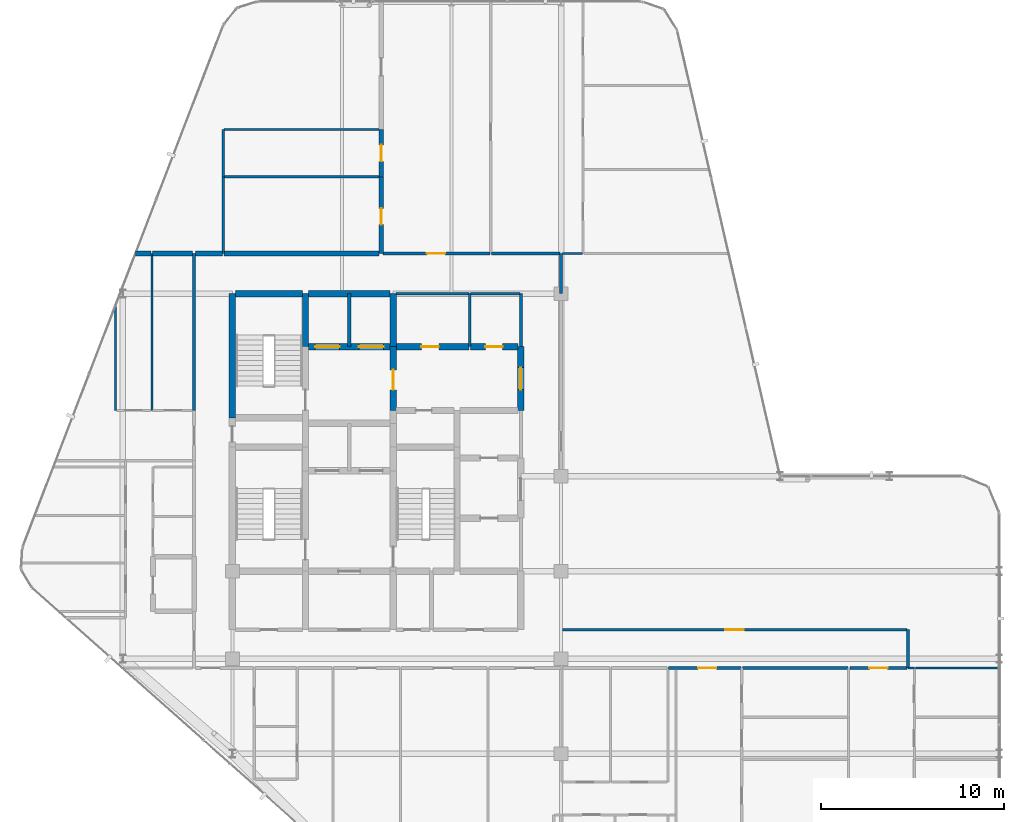
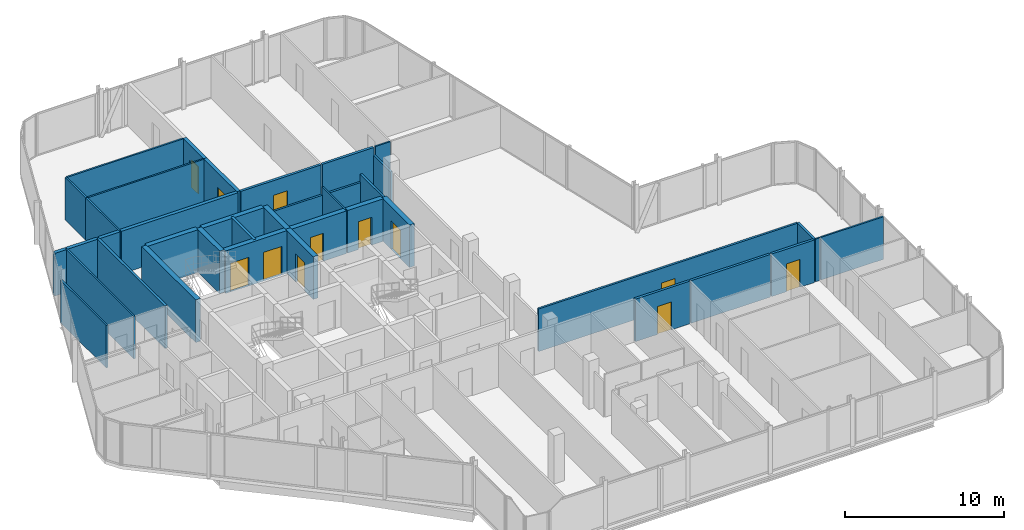
# One storey, part 26 of 28: 39 walls, 12 doors, 12 openings.
"""IFC4 building model written with IfcOpenShell, lengths in metres."""

from ifc_helpers import new_model, si_unit, direction, frame, frame_2d, origin, place, context, subcontext, project, spatial, rectangle, extrude, material, layer, layer_set, type_object, element, fill, save


model = new_model("IFC4")

# Units and contexts
model_context = context("Model", 3, precision=1e-05, world=origin(), true_north=direction((0.0, 1.0)))
body_context = subcontext(model_context, "Body", "Model", "MODEL_VIEW")
ifc_project = project(units=[si_unit("LENGTHUNIT", "METRE"), si_unit("AREAUNIT", "SQUARE_METRE"), si_unit("VOLUMEUNIT", "CUBIC_METRE"), si_unit("PLANEANGLEUNIT", "RADIAN"), si_unit("MASSUNIT", "GRAM", prefix="KILO")], contexts=[model_context])

# Site, building, storey
site_placement = place(None, origin())
site = spatial("IfcSite", under=ifc_project, at=site_placement, CompositionType="ELEMENT")
building_placement = place(site_placement, origin())
building = spatial("IfcBuilding", under=site, at=building_placement, Name="Keshet Zoharim Tower", CompositionType="ELEMENT")
storey_placement = place(building_placement, frame((0.0, 0.0, 233.89990234375)))
storey = spatial("IfcBuildingStorey", under=building, at=storey_placement, Name="L58", CompositionType="ELEMENT", Elevation=233.89990234375)

# Walls
ifc_material_1 = material(Name="Gypsum Plasterboard", Category="gypsum")
ifc_layer_1 = layer(ifc_material_1, 0.14990234375)
ifc_layer_set_1 = layer_set([ifc_layer_1], Name="Gypsum Plasterboard")
wall_type_1 = type_object("IfcWallType", Name="WL-CLIN-150", PredefinedType="STANDARD", material=ifc_layer_set_1)
wall_1_placement = place(storey_placement, frame((30.800048828125, 35.0, 0.0), z_axis=(0.0, 0.0, 1.0), x_axis=(0.0, 1.0, 0.0)))
element("IfcWall", 1, at=wall_1_placement, inside=storey, type_object=wall_type_1, Name="L58 Interior Wall 058", PredefinedType="STANDARD", context=body_context, shape_type="SweptSolid", body=[
    extrude(rectangle(XDim=2.89990234375, YDim=0.14990234375, at=frame_2d((1.449951171875, 0.0))), origin(), (0.0, 0.0, 1.0), 3.280029296875),
])
wall_2_placement = place(storey_placement, frame((52.0, 17.409912109375, 0.0), z_axis=(0.0, 0.0, 1.0), x_axis=(0.0, 1.0, 0.0)))
element("IfcWall", 2, at=wall_2_placement, inside=storey, type_object=wall_type_1, Name="L58 Interior Wall 075", PredefinedType="STANDARD", context=body_context, shape_type="SweptSolid", body=[
    extrude(rectangle(XDim=2.090087890625, YDim=0.14990234375, at=frame_2d((1.044921875, 0.0))), origin(), (0.0, 0.0, 1.0), 3.280029296875),
])

# Wall, opening, door
wall_3_placement = place(storey_placement, frame((33.070068359375, 19.5, 0.0), z_axis=(0.0, 0.0, 1.0), x_axis=(1.0, 0.0, 0.0)))
wall_3 = element("IfcWall", 3, at=wall_3_placement, inside=storey, type_object=wall_type_1, Name="L58 Interior Wall 111", PredefinedType="STANDARD", context=body_context, shape_type="SweptSolid", body=[
    extrude(rectangle(XDim=18.869873046875, YDim=0.14990234375, at=frame_2d((9.43505859375, 0.0))), origin(), (0.0, 0.0, 1.0), 3.280029296875),
])
opening_1_placement = place(wall_3_placement, frame((8.93505859375, 0.0, 0.0)))
opening_1 = element("IfcOpeningElement", 4, at=opening_1_placement, cuts=wall_3, Name="Opening D-F310", PredefinedType="OPENING", context=body_context, shape_type="SweptSolid", body=[
    extrude(rectangle(XDim=1.0, YDim=2.14990234375, at=frame_2d((0.5, 1.074951171875))), frame((0.0, 0.0849609375, 0.0), z_axis=(0.0, -1.0, 0.0), x_axis=(1.0, 0.0, 0.0)), (0.0, 0.0, 1.0), 0.169921875),
])
ifc_material_2 = material(Name="Hardwood Timber", Category="wood")
door_type_1 = type_object("IfcDoorType", Name="DR-FD30-100", OperationType="NOTDEFINED", PredefinedType="DOOR", material=ifc_material_2)
door_1_placement = place(opening_1_placement, origin())
door_1 = element("IfcDoor", 5, at=door_1_placement, inside=storey, type_object=door_type_1, Name="L58 North East Residents Services Suite Door 2", OperationType="SINGLE_SWING_RIGHT", OverallHeight=2.14990234375, OverallWidth=1.0, PredefinedType="DOOR", context=body_context, shape_type="SweptSolid", body=[
    extrude(rectangle(XDim=1.0, YDim=2.14990234375, at=frame_2d((0.5, 1.074951171875))), frame((0.0, 0.02490234375, 0.0), z_axis=(0.0, -1.0, 0.0), x_axis=(1.0, 0.0, 0.0)), (0.0, 0.0, 1.0), 0.050048828125),
])
fill(opening_1, door_1)

# Walls
wall_4_placement = place(storey_placement, frame((23.9599609375, 37.89990234375, 0.0), z_axis=(0.0, 0.0, 1.0), x_axis=(1.0, 0.0, 0.0)))
element("IfcWall", 6, at=wall_4_placement, inside=storey, type_object=wall_type_1, Name="L58 Interior Wall 144", PredefinedType="STANDARD", context=body_context, shape_type="SweptSolid", body=[
    extrude(rectangle(XDim=3.9951171875, YDim=0.14990234375, at=frame_2d((1.99755859375, 0.0))), origin(), (0.0, 0.0, 1.0), 2.68017578125),
])
wall_5_placement = place(storey_placement, frame((28.044921875, 37.89990234375, 0.0), z_axis=(0.0, 0.0, 1.0), x_axis=(1.0, 0.0, 0.0)))
element("IfcWall", 7, at=wall_5_placement, inside=storey, type_object=wall_type_1, Name="L58 Interior Wall 145", PredefinedType="STANDARD", context=body_context, shape_type="SweptSolid", body=[
    extrude(rectangle(XDim=2.695068359375, YDim=0.14990234375, at=frame_2d((1.34765625, 0.0))), origin(), (0.0, 0.0, 1.0), 2.68017578125),
])
wall_6_placement = place(storey_placement, frame((33.0, 37.89990234375, 0.0), z_axis=(0.0, 0.0, 1.0), x_axis=(0.0, 1.0, 0.0)))
element("IfcWall", 8, at=wall_6_placement, inside=storey, type_object=wall_type_1, Name="L58 Interior Wall 060 Part 2", PredefinedType="STANDARD", context=body_context, shape_type="SweptSolid", body=[
    extrude(rectangle(XDim=2.190185546875, YDim=0.14990234375, at=frame_2d((1.09521484375, 0.0))), origin(), (0.0, 0.0, 1.0), 2.68017578125),
])
ifc_material_3 = material(Name="Concrete C60/75", Category="concrete")
ifc_layer_2 = layer(ifc_material_3, 0.35009765625)
ifc_layer_set_2 = layer_set([ifc_layer_2], Name="Concrete C60/75")
wall_type_2 = type_object("IfcWallType", Name="WL-CORE-350", PredefinedType="SHEAR", material=ifc_layer_set_2)
wall_7_placement = place(storey_placement, frame((15.0, 31.10009765625, 0.0), z_axis=(0.0, 0.0, 1.0), x_axis=(0.0, 1.0, 0.0)))
element("IfcWall", 9, at=wall_7_placement, inside=storey, type_object=wall_type_2, Name="L58 Core Shear Wall 021", PredefinedType="SHEAR", context=body_context, shape_type="SweptSolid", body=[
    extrude(rectangle(XDim=6.7998046875, YDim=0.35009765625, at=frame_2d((3.39990234375, 0.0))), origin(), (0.0, 0.0, 1.0), 3.280029296875),
])
wall_8_placement = place(storey_placement, frame((19.0, 35.0, 0.0), z_axis=(0.0, 0.0, 1.0), x_axis=(0.0, 1.0, 0.0)))
element("IfcWall", 10, at=wall_8_placement, inside=storey, type_object=wall_type_2, Name="L58 Core Shear Wall 030", PredefinedType="SHEAR", context=body_context, shape_type="SweptSolid", body=[
    extrude(rectangle(XDim=2.89990234375, YDim=0.35009765625, at=frame_2d((1.449951171875, 0.0))), origin(), (0.0, 0.0, 1.0), 3.280029296875),
])

# Wall, opening, door
wall_9_placement = place(storey_placement, frame((23.800048828125, 31.5, 0.0), z_axis=(0.0, 0.0, 1.0), x_axis=(0.0, 1.0, 0.0)))
wall_9 = element("IfcWall", 11, at=wall_9_placement, inside=storey, type_object=wall_type_2, Name="L58 Core Shear Wall 042", PredefinedType="SHEAR", context=body_context, shape_type="SweptSolid", body=[
    extrude(rectangle(XDim=3.5, YDim=0.35009765625, at=frame_2d((1.75, 0.0))), origin(), (0.0, 0.0, 1.0), 3.280029296875),
])
opening_2_placement = place(wall_9_placement, frame((1.126953125, 0.0, 0.0)))
opening_2 = element("IfcOpeningElement", 12, at=opening_2_placement, cuts=wall_9, Name="Opening D-F611", PredefinedType="OPENING", context=body_context, shape_type="SweptSolid", body=[
    extrude(rectangle(XDim=1.10009765625, YDim=2.14990234375, at=frame_2d((0.550048828125, 1.074951171875))), frame((0.0, 0.18505859375, 0.0), z_axis=(0.0, -1.0, 0.0), x_axis=(1.0, 0.0, 0.0)), (0.0, 0.0, 1.0), 0.3701171875),
])
door_type_2 = type_object("IfcDoorType", Name="DR-FD60-110", OperationType="NOTDEFINED", PredefinedType="DOOR", material=ifc_material_2)
door_2_placement = place(opening_2_placement, origin())
door_2 = element("IfcDoor", 13, at=door_2_placement, inside=storey, type_object=door_type_2, Name="L58 Firefighting Lobby Fire Door", OperationType="SINGLE_SWING_LEFT", OverallHeight=2.14990234375, OverallWidth=1.10009765625, PredefinedType="DOOR", context=body_context, shape_type="SweptSolid", body=[
    extrude(rectangle(XDim=1.10009765625, YDim=2.14990234375, at=frame_2d((0.550048828125, 1.074951171875))), frame((0.0, 0.02490234375, 0.0), z_axis=(0.0, -1.0, 0.0), x_axis=(1.0, 0.0, 0.0)), (0.0, 0.0, 1.0), 0.050048828125),
])
fill(opening_2, door_2)

# Wall
wall_10_placement = place(storey_placement, frame((23.800048828125, 35.0, 0.0), z_axis=(0.0, 0.0, 1.0), x_axis=(0.0, 1.0, 0.0)))
element("IfcWall", 14, at=wall_10_placement, inside=storey, type_object=wall_type_2, Name="L58 Core Shear Wall 043", PredefinedType="SHEAR", context=body_context, shape_type="SweptSolid", body=[
    extrude(rectangle(XDim=2.89990234375, YDim=0.35009765625, at=frame_2d((1.449951171875, 0.0))), origin(), (0.0, 0.0, 1.0), 3.280029296875),
])

# Wall, opening, door
wall_11_placement = place(storey_placement, frame((30.800048828125, 31.5, 0.0), z_axis=(0.0, 0.0, 1.0), x_axis=(0.0, 1.0, 0.0)))
wall_11 = element("IfcWall", 15, at=wall_11_placement, inside=storey, type_object=wall_type_2, Name="L58 Core Shear Wall 057", PredefinedType="SHEAR", context=body_context, shape_type="SweptSolid", body=[
    extrude(rectangle(XDim=3.5, YDim=0.35009765625, at=frame_2d((1.75, 0.0))), origin(), (0.0, 0.0, 1.0), 3.280029296875),
])
opening_3_placement = place(wall_11_placement, frame((1.14990234375, 0.0, 0.0)))
opening_3 = element("IfcOpeningElement", 16, at=opening_3_placement, cuts=wall_11, Name="Opening D-F612", PredefinedType="OPENING", context=body_context, shape_type="SweptSolid", body=[
    extrude(rectangle(XDim=1.199951171875, YDim=2.199951171875, at=frame_2d((0.60009765625, 1.10009765625))), frame((0.0, 0.18505859375, 0.0), z_axis=(0.0, -1.0, 0.0), x_axis=(1.0, 0.0, 0.0)), (0.0, 0.0, 1.0), 0.3701171875),
])
door_type_3 = type_object("IfcDoorType", Name="DR-FD60-120", OperationType="NOTDEFINED", PredefinedType="DOOR", material=ifc_material_2)
door_3_placement = place(opening_3_placement, origin())
door_3 = element("IfcDoor", 17, at=door_3_placement, inside=storey, type_object=door_type_3, Name="L58 North Lift Lobby East Fire Door", OperationType="SINGLE_SWING_RIGHT", OverallHeight=2.199951171875, OverallWidth=1.199951171875, PredefinedType="DOOR", context=body_context, shape_type="SweptSolid", body=[
    extrude(rectangle(XDim=1.199951171875, YDim=2.199951171875, at=frame_2d((0.60009765625, 1.10009765625))), frame((0.0, 0.02490234375, 0.0), z_axis=(0.0, -1.0, 0.0), x_axis=(1.0, 0.0, 0.0)), (0.0, 0.0, 1.0), 0.050048828125),
])
fill(opening_3, door_3)

# Wall, openings, doors
wall_12_placement = place(storey_placement, frame((19.159912109375, 35.0, 0.0), z_axis=(0.0, 0.0, 1.0), x_axis=(1.0, 0.0, 0.0)))
wall_12 = element("IfcWall", 18, at=wall_12_placement, inside=storey, type_object=wall_type_2, Name="L58 Core Shear Wall 139", PredefinedType="SHEAR", context=body_context, shape_type="SweptSolid", body=[
    extrude(rectangle(XDim=4.47998046875, YDim=0.35009765625, at=frame_2d((2.239990234375, 0.0))), origin(), (0.0, 0.0, 1.0), 3.280029296875),
])
opening_4_placement = place(wall_12_placement, frame((0.364990234375, 0.0, 0.0)))
opening_4 = element("IfcOpeningElement", 19, at=opening_4_placement, cuts=wall_12, Name="Opening LD-02", PredefinedType="OPENING", context=body_context, shape_type="SweptSolid", body=[
    extrude(rectangle(XDim=1.35009765625, YDim=2.199951171875, at=frame_2d((0.675048828125, 1.10009765625))), frame((0.0, 0.18505859375, 0.0), z_axis=(0.0, -1.0, 0.0), x_axis=(1.0, 0.0, 0.0)), (0.0, 0.0, 1.0), 0.3701171875),
])
opening_5_placement = place(wall_12_placement, frame((2.764892578125, 0.0, 0.0)))
opening_5 = element("IfcOpeningElement", 20, at=opening_5_placement, cuts=wall_12, Name="Opening LD-02", PredefinedType="OPENING", context=body_context, shape_type="SweptSolid", body=[
    extrude(rectangle(XDim=1.35009765625, YDim=2.199951171875, at=frame_2d((0.675048828125, 1.10009765625))), frame((0.0, 0.18505859375, 0.0), z_axis=(0.0, -1.0, 0.0), x_axis=(1.0, 0.0, 0.0)), (0.0, 0.0, 1.0), 0.3701171875),
])
ifc_material_4 = material(Name="Steel S355", Category="steel")
door_type_4 = type_object("IfcDoorType", Name="DR-LD02-135", OperationType="DOUBLE_DOOR_SLIDING", PredefinedType="DOOR", material=ifc_material_4)
door_4_placement = place(opening_4_placement, origin())
door_4 = element("IfcDoor", 21, at=door_4_placement, inside=storey, type_object=door_type_4, Name="L58 Firefighting Lift Landing Door FF-01", OperationType="DOUBLE_DOOR_SLIDING", OverallHeight=2.199951171875, OverallWidth=1.35009765625, PredefinedType="DOOR", context=body_context, shape_type="SweptSolid", body=[
    extrude(rectangle(XDim=1.35009765625, YDim=2.199951171875, at=frame_2d((0.675048828125, 1.10009765625))), frame((0.0, 0.02490234375, 0.0), z_axis=(0.0, -1.0, 0.0), x_axis=(1.0, 0.0, 0.0)), (0.0, 0.0, 1.0), 0.050048828125),
])
fill(opening_4, door_4)
door_5_placement = place(opening_5_placement, origin())
door_5 = element("IfcDoor", 22, at=door_5_placement, inside=storey, type_object=door_type_4, Name="L58 Firefighting Lift Landing Door FF-02", OperationType="DOUBLE_DOOR_SLIDING", OverallHeight=2.199951171875, OverallWidth=1.35009765625, PredefinedType="DOOR", context=body_context, shape_type="SweptSolid", body=[
    extrude(rectangle(XDim=1.35009765625, YDim=2.199951171875, at=frame_2d((0.675048828125, 1.10009765625))), frame((0.0, 0.02490234375, 0.0), z_axis=(0.0, -1.0, 0.0), x_axis=(1.0, 0.0, 0.0)), (0.0, 0.0, 1.0), 0.050048828125),
])
fill(opening_5, door_5)

# Wall, opening, door
wall_13_placement = place(storey_placement, frame((23.9599609375, 35.0, 0.0), z_axis=(0.0, 0.0, 1.0), x_axis=(1.0, 0.0, 0.0)))
wall_13 = element("IfcWall", 23, at=wall_13_placement, inside=storey, type_object=wall_type_2, Name="L58 Core Shear Wall 140", PredefinedType="SHEAR", context=body_context, shape_type="SweptSolid", body=[
    extrude(rectangle(XDim=3.9951171875, YDim=0.35009765625, at=frame_2d((1.99755859375, 0.0))), origin(), (0.0, 0.0, 1.0), 3.280029296875),
])
opening_6_placement = place(wall_13_placement, frame((1.39306640625, 0.0, 0.0)))
opening_6 = element("IfcOpeningElement", 24, at=opening_6_placement, cuts=wall_13, Name="Opening D-F695", PredefinedType="OPENING", context=body_context, shape_type="SweptSolid", body=[
    extrude(rectangle(XDim=0.949951171875, YDim=2.14990234375, at=frame_2d((0.47509765625, 1.074951171875))), frame((0.0, 0.18505859375, 0.0), z_axis=(0.0, -1.0, 0.0), x_axis=(1.0, 0.0, 0.0)), (0.0, 0.0, 1.0), 0.3701171875),
])
door_type_5 = type_object("IfcDoorType", Name="DR-FD60-095", OperationType="NOTDEFINED", PredefinedType="DOOR", material=ifc_material_2)
door_6_placement = place(opening_6_placement, frame((0.949951171875, 0.0, 0.0), z_axis=(0.0, 0.0, 1.0), x_axis=(-1.0, 0.0, 0.0)))
door_6 = element("IfcDoor", 25, at=door_6_placement, inside=storey, type_object=door_type_5, Name="L58 Laundry Room Door", OperationType="SINGLE_SWING_LEFT", OverallHeight=2.14990234375, OverallWidth=0.949951171875, PredefinedType="DOOR", context=body_context, shape_type="SweptSolid", body=[
    extrude(rectangle(XDim=0.949951171875, YDim=2.14990234375, at=frame_2d((0.47509765625, 1.074951171875))), frame((0.0, 0.02490234375, 0.0), z_axis=(0.0, -1.0, 0.0), x_axis=(1.0, 0.0, 0.0)), (0.0, 0.0, 1.0), 0.050048828125),
])
fill(opening_6, door_6)

wall_14_placement = place(storey_placement, frame((28.044921875, 35.0, 0.0), z_axis=(0.0, 0.0, 1.0), x_axis=(1.0, 0.0, 0.0)))
wall_14 = element("IfcWall", 26, at=wall_14_placement, inside=storey, type_object=wall_type_2, Name="L58 Core Shear Wall 141", PredefinedType="SHEAR", context=body_context, shape_type="SweptSolid", body=[
    extrude(rectangle(XDim=2.594970703125, YDim=0.35009765625, at=frame_2d((1.29736328125, 0.0))), origin(), (0.0, 0.0, 1.0), 3.280029296875),
])
opening_7_placement = place(wall_14_placement, frame((0.805908203125, 0.0, 0.0)))
opening_7 = element("IfcOpeningElement", 27, at=opening_7_placement, cuts=wall_14, Name="Opening D-F695", PredefinedType="OPENING", context=body_context, shape_type="SweptSolid", body=[
    extrude(rectangle(XDim=0.949951171875, YDim=2.14990234375, at=frame_2d((0.47509765625, 1.074951171875))), frame((0.0, 0.18505859375, 0.0), z_axis=(0.0, -1.0, 0.0), x_axis=(1.0, 0.0, 0.0)), (0.0, 0.0, 1.0), 0.3701171875),
])
door_7_placement = place(opening_7_placement, frame((0.949951171875, 0.0, 0.0), z_axis=(0.0, 0.0, 1.0), x_axis=(-1.0, 0.0, 0.0)))
door_7 = element("IfcDoor", 28, at=door_7_placement, inside=storey, type_object=door_type_5, Name="L58 Quiet Study Room Door", OperationType="SINGLE_SWING_RIGHT", OverallHeight=2.14990234375, OverallWidth=0.949951171875, PredefinedType="DOOR", context=body_context, shape_type="SweptSolid", body=[
    extrude(rectangle(XDim=0.949951171875, YDim=2.14990234375, at=frame_2d((0.47509765625, 1.074951171875))), frame((0.0, 0.02490234375, 0.0), z_axis=(0.0, -1.0, 0.0), x_axis=(1.0, 0.0, 0.0)), (0.0, 0.0, 1.0), 0.050048828125),
])
fill(opening_7, door_7)

# Walls
wall_15_placement = place(storey_placement, frame((15.159912109375, 37.89990234375, 0.0), z_axis=(0.0, 0.0, 1.0), x_axis=(1.0, 0.0, 0.0)))
element("IfcWall", 29, at=wall_15_placement, inside=storey, type_object=wall_type_2, Name="L58 Core Shear Wall 142", PredefinedType="SHEAR", context=body_context, shape_type="SweptSolid", body=[
    extrude(rectangle(XDim=3.68017578125, YDim=0.35009765625, at=frame_2d((1.840087890625, 0.0))), origin(), (0.0, 0.0, 1.0), 3.280029296875),
])
wall_16_placement = place(storey_placement, frame((19.159912109375, 37.89990234375, 0.0), z_axis=(0.0, 0.0, 1.0), x_axis=(1.0, 0.0, 0.0)))
element("IfcWall", 30, at=wall_16_placement, inside=storey, type_object=wall_type_2, Name="L58 Core Shear Wall 143", PredefinedType="SHEAR", context=body_context, shape_type="SweptSolid", body=[
    extrude(rectangle(XDim=4.47998046875, YDim=0.35009765625, at=frame_2d((2.239990234375, 0.0))), origin(), (0.0, 0.0, 1.0), 3.280029296875),
])
ifc_layer_3 = layer(ifc_material_1, 0.179931640625)
ifc_layer_set_3 = layer_set([ifc_layer_3], Name="Gypsum Plasterboard")
wall_type_3 = type_object("IfcWallType", Name="WL-CORR-180", PredefinedType="STANDARD", material=ifc_layer_set_3)
wall_17_placement = place(storey_placement, frame((12.89990234375, 31.5, 0.0), z_axis=(0.0, 0.0, 1.0), x_axis=(0.0, 1.0, 0.0)))
element("IfcWall", 31, at=wall_17_placement, inside=storey, type_object=wall_type_3, Name="L58 Interior Wall 015", PredefinedType="STANDARD", context=body_context, shape_type="SweptSolid", body=[
    extrude(rectangle(XDim=8.60009765625, YDim=0.179931640625, at=frame_2d((4.300048828125, 0.0))), origin(), (0.0, 0.0, 1.0), 3.280029296875),
])

# Wall, opening, door
wall_18_placement = place(storey_placement, frame((38.89501953125, 17.39990234375, 0.0), z_axis=(0.0, 0.0, 1.0), x_axis=(1.0, 0.0, 0.0)))
wall_18 = element("IfcWall", 32, at=wall_18_placement, inside=storey, type_object=wall_type_3, Name="L58 Interior Wall 102", PredefinedType="STANDARD", context=body_context, shape_type="SweptSolid", body=[
    extrude(rectangle(XDim=3.9599609375, YDim=0.179931640625, at=frame_2d((1.97998046875, 0.0))), origin(), (0.0, 0.0, 1.0), 3.280029296875),
])
opening_8_placement = place(wall_18_placement, frame((1.60888671875, 0.0, 0.0)))
opening_8 = element("IfcOpeningElement", 33, at=opening_8_placement, cuts=wall_18, Name="Opening D-F310", PredefinedType="OPENING", context=body_context, shape_type="SweptSolid", body=[
    extrude(rectangle(XDim=1.0, YDim=2.14990234375, at=frame_2d((0.5, 1.074951171875))), frame((0.0, 0.10009765625, 0.0), z_axis=(0.0, -1.0, 0.0), x_axis=(1.0, 0.0, 0.0)), (0.0, 0.0, 1.0), 0.199951171875),
])
door_8_placement = place(opening_8_placement, origin())
door_8 = element("IfcDoor", 34, at=door_8_placement, inside=storey, type_object=door_type_1, Name="Apartment 5803 Entrance Door", OperationType="SINGLE_SWING_RIGHT", OverallHeight=2.14990234375, OverallWidth=1.0, PredefinedType="DOOR", context=body_context, shape_type="SweptSolid", body=[
    extrude(rectangle(XDim=1.0, YDim=2.14990234375, at=frame_2d((0.5, 1.074951171875))), frame((0.0, 0.02490234375, 0.0), z_axis=(0.0, -1.0, 0.0), x_axis=(1.0, 0.0, 0.0)), (0.0, 0.0, 1.0), 0.050048828125),
])
fill(opening_8, door_8)

# Wall
wall_19_placement = place(storey_placement, frame((42.945068359375, 17.39990234375, 0.0), z_axis=(0.0, 0.0, 1.0), x_axis=(1.0, 0.0, 0.0)))
element("IfcWall", 35, at=wall_19_placement, inside=storey, type_object=wall_type_3, Name="L58 Interior Wall 103", PredefinedType="STANDARD", context=body_context, shape_type="SweptSolid", body=[
    extrude(rectangle(XDim=5.780029296875, YDim=0.179931640625, at=frame_2d((2.89013671875, 0.0))), origin(), (0.0, 0.0, 1.0), 3.280029296875),
])

# Wall, opening, door
wall_20_placement = place(storey_placement, frame((48.81494140625, 17.39990234375, 0.0), z_axis=(0.0, 0.0, 1.0), x_axis=(1.0, 0.0, 0.0)))
wall_20 = element("IfcWall", 36, at=wall_20_placement, inside=storey, type_object=wall_type_3, Name="L58 Interior Wall 104", PredefinedType="STANDARD", context=body_context, shape_type="SweptSolid", body=[
    extrude(rectangle(XDim=3.125, YDim=0.179931640625, at=frame_2d((1.5625, 0.0))), origin(), (0.0, 0.0, 1.0), 3.280029296875),
])
opening_9_placement = place(wall_20_placement, frame((1.070068359375, 0.0, 0.0)))
opening_9 = element("IfcOpeningElement", 37, at=opening_9_placement, cuts=wall_20, Name="Opening D-F310", PredefinedType="OPENING", context=body_context, shape_type="SweptSolid", body=[
    extrude(rectangle(XDim=1.0, YDim=2.14990234375, at=frame_2d((0.5, 1.074951171875))), frame((0.0, 0.10009765625, 0.0), z_axis=(0.0, -1.0, 0.0), x_axis=(1.0, 0.0, 0.0)), (0.0, 0.0, 1.0), 0.199951171875),
])
door_9_placement = place(opening_9_placement, origin())
door_9 = element("IfcDoor", 38, at=door_9_placement, inside=storey, type_object=door_type_1, Name="Apartment 5804 Entrance Door", OperationType="SINGLE_SWING_LEFT", OverallHeight=2.14990234375, OverallWidth=1.0, PredefinedType="DOOR", context=body_context, shape_type="SweptSolid", body=[
    extrude(rectangle(XDim=1.0, YDim=2.14990234375, at=frame_2d((0.5, 1.074951171875))), frame((0.0, 0.02490234375, 0.0), z_axis=(0.0, -1.0, 0.0), x_axis=(1.0, 0.0, 0.0)), (0.0, 0.0, 1.0), 0.050048828125),
])
fill(opening_9, door_9)

wall_21_placement = place(storey_placement, frame((23.260009765625, 40.10009765625, 0.0), z_axis=(0.0, 0.0, 1.0), x_axis=(1.0, 0.0, 0.0)))
wall_21 = element("IfcWall", 39, at=wall_21_placement, inside=storey, type_object=wall_type_3, Name="L58 Interior Wall 150", PredefinedType="STANDARD", context=body_context, shape_type="SweptSolid", body=[
    extrude(rectangle(XDim=5.844970703125, YDim=0.179931640625, at=frame_2d((2.92236328125, 0.0))), origin(), (0.0, 0.0, 1.0), 3.280029296875),
])
opening_10_placement = place(wall_21_placement, frame((2.389892578125, 0.0, 0.0)))
opening_10 = element("IfcOpeningElement", 40, at=opening_10_placement, cuts=wall_21, Name="Opening D-F310", PredefinedType="OPENING", context=body_context, shape_type="SweptSolid", body=[
    extrude(rectangle(XDim=1.0, YDim=2.14990234375, at=frame_2d((0.5, 1.074951171875))), frame((0.0, 0.10009765625, 0.0), z_axis=(0.0, -1.0, 0.0), x_axis=(1.0, 0.0, 0.0)), (0.0, 0.0, 1.0), 0.199951171875),
])
door_10_placement = place(opening_10_placement, origin())
door_10 = element("IfcDoor", 41, at=door_10_placement, inside=storey, type_object=door_type_1, Name="Apartment 5805 Entrance Door", OperationType="SINGLE_SWING_LEFT", OverallHeight=2.14990234375, OverallWidth=1.0, PredefinedType="DOOR", context=body_context, shape_type="SweptSolid", body=[
    extrude(rectangle(XDim=1.0, YDim=2.14990234375, at=frame_2d((0.5, 1.074951171875))), frame((0.0, 0.02490234375, 0.0), z_axis=(0.0, -1.0, 0.0), x_axis=(1.0, 0.0, 0.0)), (0.0, 0.0, 1.0), 0.050048828125),
])
fill(opening_10, door_10)

# Walls
wall_22_placement = place(storey_placement, frame((29.195068359375, 40.10009765625, 0.0), z_axis=(0.0, 0.0, 1.0), x_axis=(1.0, 0.0, 0.0)))
element("IfcWall", 42, at=wall_22_placement, inside=storey, type_object=wall_type_3, Name="L58 Interior Wall 151", PredefinedType="STANDARD", context=body_context, shape_type="SweptSolid", body=[
    extrude(rectangle(XDim=3.744873046875, YDim=0.179931640625, at=frame_2d((1.87255859375, 0.0))), origin(), (0.0, 0.0, 1.0), 3.280029296875),
])
ifc_material_5 = material(Name="Concrete C50/60", Category="concrete")
ifc_layer_4 = layer(ifc_material_5, 0.199951171875)
ifc_layer_set_4 = layer_set([ifc_layer_4], Name="Concrete C50/60")
wall_type_4 = type_object("IfcWallType", Name="WL-FIRE-200", PredefinedType="STANDARD", material=ifc_layer_set_4)
wall_23_placement = place(storey_placement, frame((21.39990234375, 35.0, 0.0), z_axis=(0.0, 0.0, 1.0), x_axis=(0.0, 1.0, 0.0)))
element("IfcWall", 43, at=wall_23_placement, inside=storey, type_object=wall_type_4, Name="L58 Interior Wall 033", PredefinedType="STANDARD", context=body_context, shape_type="SweptSolid", body=[
    extrude(rectangle(XDim=2.89990234375, YDim=0.199951171875, at=frame_2d((1.449951171875, 0.0))), origin(), (0.0, 0.0, 1.0), 3.280029296875),
])

# Wall, opening, door
ifc_layer_5 = layer(ifc_material_5, 0.25)
ifc_layer_set_5 = layer_set([ifc_layer_5], Name="Concrete C50/60")
wall_type_5 = type_object("IfcWallType", Name="WL-MAMAD-250", PredefinedType="STANDARD", material=ifc_layer_set_5)
wall_24_placement = place(storey_placement, frame((23.14990234375, 40.10009765625, 0.0), z_axis=(0.0, 0.0, 1.0), x_axis=(0.0, 1.0, 0.0)))
wall_24 = element("IfcWall", 44, at=wall_24_placement, inside=storey, type_object=wall_type_5, Name="L58 Interior Wall 034", PredefinedType="STANDARD", context=body_context, shape_type="SweptSolid", body=[
    extrude(rectangle(XDim=4.199951171875, YDim=0.25, at=frame_2d((2.10009765625, 0.0))), origin(), (0.0, 0.0, 1.0), 3.280029296875),
])
opening_11_placement = place(wall_24_placement, frame((1.576904296875, 0.0, 0.0)))
opening_11 = element("IfcOpeningElement", 45, at=opening_11_placement, cuts=wall_24, Name="Opening D-IN90", PredefinedType="OPENING", context=body_context, shape_type="SweptSolid", body=[
    extrude(rectangle(XDim=0.89990234375, YDim=2.14990234375, at=frame_2d((0.449951171875, 1.074951171875))), frame((0.0, 0.135009765625, 0.0), z_axis=(0.0, -1.0, 0.0), x_axis=(1.0, 0.0, 0.0)), (0.0, 0.0, 1.0), 0.27001953125),
])
door_type_6 = type_object("IfcDoorType", Name="DR-INT-090", OperationType="NOTDEFINED", PredefinedType="DOOR", material=ifc_material_2)
door_11_placement = place(opening_11_placement, origin())
door_11 = element("IfcDoor", 46, at=door_11_placement, inside=storey, type_object=door_type_6, Name="Apartment 5805 Kitchen Door", OperationType="SINGLE_SWING_LEFT", OverallHeight=2.14990234375, OverallWidth=0.89990234375, PredefinedType="DOOR", context=body_context, shape_type="SweptSolid", body=[
    extrude(rectangle(XDim=0.89990234375, YDim=2.14990234375, at=frame_2d((0.449951171875, 1.074951171875))), frame((0.0, 0.02490234375, 0.0), z_axis=(0.0, -1.0, 0.0), x_axis=(1.0, 0.0, 0.0)), (0.0, 0.0, 1.0), 0.050048828125),
])
fill(opening_11, door_11)

wall_25_placement = place(storey_placement, frame((23.14990234375, 44.300048828125, 0.0), z_axis=(0.0, 0.0, 1.0), x_axis=(0.0, 1.0, 0.0)))
wall_25 = element("IfcWall", 47, at=wall_25_placement, inside=storey, type_object=wall_type_5, Name="L58 Interior Wall 035", PredefinedType="STANDARD", context=body_context, shape_type="SweptSolid", body=[
    extrude(rectangle(XDim=2.599853515625, YDim=0.25, at=frame_2d((1.2998046875, 0.0))), origin(), (0.0, 0.0, 1.0), 3.280029296875),
])
opening_12_placement = place(wall_25_placement, frame((0.85009765625, 0.0, 0.0)))
opening_12 = element("IfcOpeningElement", 48, at=opening_12_placement, cuts=wall_25, Name="Opening D-WT90", PredefinedType="OPENING", context=body_context, shape_type="SweptSolid", body=[
    extrude(rectangle(XDim=0.89990234375, YDim=2.10009765625, at=frame_2d((0.449951171875, 1.050048828125))), frame((0.0, 0.135009765625, 0.0), z_axis=(0.0, -1.0, 0.0), x_axis=(1.0, 0.0, 0.0)), (0.0, 0.0, 1.0), 0.27001953125),
])
door_type_7 = type_object("IfcDoorType", Name="DR-WET-090", OperationType="NOTDEFINED", PredefinedType="DOOR", material=ifc_material_2)
door_12_placement = place(opening_12_placement, origin())
door_12 = element("IfcDoor", 49, at=door_12_placement, inside=storey, type_object=door_type_7, Name="Apartment 5805 Bathroom Door", OperationType="SINGLE_SWING_RIGHT", OverallHeight=2.10009765625, OverallWidth=0.89990234375, PredefinedType="DOOR", context=body_context, shape_type="SweptSolid", body=[
    extrude(rectangle(XDim=0.89990234375, YDim=2.10009765625, at=frame_2d((0.449951171875, 1.050048828125))), frame((0.0, 0.02490234375, 0.0), z_axis=(0.0, -1.0, 0.0), x_axis=(1.0, 0.0, 0.0)), (0.0, 0.0, 1.0), 0.050048828125),
])
fill(opening_12, door_12)

# Walls
wall_26_placement = place(storey_placement, frame((9.701904296875, 40.10009765625, 0.0), z_axis=(0.0, 0.0, 1.0), x_axis=(1.0, 0.0, 0.0)))
element("IfcWall", 50, at=wall_26_placement, inside=storey, type_object=wall_type_5, Name="L58 Interior Wall 146", PredefinedType="STANDARD", context=body_context, shape_type="SweptSolid", body=[
    extrude(rectangle(XDim=0.8310546875, YDim=0.25, at=frame_2d((0.41552734375, 0.0))), origin(), (0.0, 0.0, 1.0), 3.280029296875),
])
wall_27_placement = place(storey_placement, frame((10.623046875, 40.10009765625, 0.0), z_axis=(0.0, 0.0, 1.0), x_axis=(1.0, 0.0, 0.0)))
element("IfcWall", 51, at=wall_27_placement, inside=storey, type_object=wall_type_5, Name="L58 Interior Wall 147", PredefinedType="STANDARD", context=body_context, shape_type="SweptSolid", body=[
    extrude(rectangle(XDim=2.201904296875, YDim=0.25, at=frame_2d((1.10107421875, 0.0))), origin(), (0.0, 0.0, 1.0), 3.280029296875),
])
wall_28_placement = place(storey_placement, frame((12.97509765625, 40.10009765625, 0.0), z_axis=(0.0, 0.0, 1.0), x_axis=(1.0, 0.0, 0.0)))
element("IfcWall", 52, at=wall_28_placement, inside=storey, type_object=wall_type_5, Name="L58 Interior Wall 148", PredefinedType="STANDARD", context=body_context, shape_type="SweptSolid", body=[
    extrude(rectangle(XDim=1.47998046875, YDim=0.25, at=frame_2d((0.739990234375, 0.0))), origin(), (0.0, 0.0, 1.0), 3.280029296875),
])
wall_29_placement = place(storey_placement, frame((14.544921875, 40.10009765625, 0.0), z_axis=(0.0, 0.0, 1.0), x_axis=(1.0, 0.0, 0.0)))
element("IfcWall", 53, at=wall_29_placement, inside=storey, type_object=wall_type_5, Name="L58 Interior Wall 149", PredefinedType="STANDARD", context=body_context, shape_type="SweptSolid", body=[
    extrude(rectangle(XDim=8.4951171875, YDim=0.25, at=frame_2d((4.24755859375, 0.0))), origin(), (0.0, 0.0, 1.0), 3.280029296875),
])
ifc_layer_6 = layer(ifc_material_1, 0.1201171875)
ifc_layer_set_6 = layer_set([ifc_layer_6], Name="Gypsum Plasterboard")
wall_type_6 = type_object("IfcWallType", Name="WL-PART-120", PredefinedType="PARTITIONING", material=ifc_layer_set_6)
wall_30_placement = place(storey_placement, frame((8.60009765625, 31.5, 0.0), z_axis=(0.0, 0.0, 1.0), x_axis=(0.0, 1.0, 0.0)))
element("IfcWall", 54, at=wall_30_placement, inside=storey, type_object=wall_type_6, Name="L58 Interior Wall 001", PredefinedType="PARTITIONING", context=body_context, shape_type="SweptSolid", body=[
    extrude(rectangle(XDim=5.75, YDim=0.1201171875, at=frame_2d((2.875, 0.0))), origin(), (0.0, 0.0, 1.0), 3.280029296875),
])
wall_31_placement = place(storey_placement, frame((14.5, 40.10009765625, 0.0), z_axis=(0.0, 0.0, 1.0), x_axis=(0.0, 1.0, 0.0)))
element("IfcWall", 55, at=wall_31_placement, inside=storey, type_object=wall_type_6, Name="L58 Interior Wall 016", PredefinedType="PARTITIONING", context=body_context, shape_type="SweptSolid", body=[
    extrude(rectangle(XDim=4.199951171875, YDim=0.1201171875, at=frame_2d((2.10009765625, 0.0))), origin(), (0.0, 0.0, 1.0), 3.280029296875),
])
wall_32_placement = place(storey_placement, frame((28.0, 35.0, 0.0), z_axis=(0.0, 0.0, 1.0), x_axis=(0.0, 1.0, 0.0)))
element("IfcWall", 56, at=wall_32_placement, inside=storey, type_object=wall_type_6, Name="L58 Interior Wall 050", PredefinedType="PARTITIONING", context=body_context, shape_type="SweptSolid", body=[
    extrude(rectangle(XDim=2.89990234375, YDim=0.1201171875, at=frame_2d((1.449951171875, 0.0))), origin(), (0.0, 0.0, 1.0), 3.280029296875),
])
wall_33_placement = place(storey_placement, frame((52.015625, 17.39990234375, 0.0), z_axis=(0.0, 0.0, 1.0), x_axis=(1.0, 0.0, 0.0)))
element("IfcWall", 57, at=wall_33_placement, inside=storey, type_object=wall_type_6, Name="L58 Interior Wall 105", PredefinedType="PARTITIONING", context=body_context, shape_type="SweptSolid", body=[
    extrude(rectangle(XDim=0.35009765625, YDim=0.1201171875, at=frame_2d((0.175048828125, 0.0))), origin(), (0.0, 0.0, 1.0), 3.280029296875),
])
wall_34_placement = place(storey_placement, frame((33.070068359375, 40.10009765625, 0.0), z_axis=(0.0, 0.0, 1.0), x_axis=(1.0, 0.0, 0.0)))
element("IfcWall", 58, at=wall_34_placement, inside=storey, type_object=wall_type_6, Name="L58 Interior Wall 152", PredefinedType="PARTITIONING", context=body_context, shape_type="SweptSolid", body=[
    extrude(rectangle(XDim=1.10498046875, YDim=0.1201171875, at=frame_2d((0.552490234375, 0.0))), origin(), (0.0, 0.0, 1.0), 3.280029296875),
])
ifc_layer_7 = layer(ifc_material_1, 0.1201171875)
ifc_layer_set_7 = layer_set([ifc_layer_7], Name="Gypsum Plasterboard")
wall_type_7 = type_object("IfcWallType", Name="WL-WET-120", PredefinedType="PARTITIONING", material=ifc_layer_set_7)
wall_35_placement = place(storey_placement, frame((10.60009765625, 31.5, 0.0), z_axis=(0.0, 0.0, 1.0), x_axis=(0.0, 1.0, 0.0)))
element("IfcWall", 59, at=wall_35_placement, inside=storey, type_object=wall_type_7, Name="L58 Interior Wall 005", PredefinedType="PARTITIONING", context=body_context, shape_type="SweptSolid", body=[
    extrude(rectangle(XDim=8.60009765625, YDim=0.1201171875, at=frame_2d((4.300048828125, 0.0))), origin(), (0.0, 0.0, 1.0), 3.280029296875),
])
wall_36_placement = place(storey_placement, frame((14.5, 44.300048828125, 0.0), z_axis=(0.0, 0.0, 1.0), x_axis=(0.0, 1.0, 0.0)))
element("IfcWall", 60, at=wall_36_placement, inside=storey, type_object=wall_type_7, Name="L58 Interior Wall 017", PredefinedType="PARTITIONING", context=body_context, shape_type="SweptSolid", body=[
    extrude(rectangle(XDim=2.599853515625, YDim=0.1201171875, at=frame_2d((1.2998046875, 0.0))), origin(), (0.0, 0.0, 1.0), 3.280029296875),
])
wall_37_placement = place(storey_placement, frame((52.4150390625, 17.39990234375, 0.0), z_axis=(0.0, 0.0, 1.0), x_axis=(1.0, 0.0, 0.0)))
element("IfcWall", 61, at=wall_37_placement, inside=storey, type_object=wall_type_7, Name="L58 Interior Wall 106", PredefinedType="PARTITIONING", context=body_context, shape_type="SweptSolid", body=[
    extrude(rectangle(XDim=4.574951171875, YDim=0.1201171875, at=frame_2d((2.28759765625, 0.0))), origin(), (0.0, 0.0, 1.0), 3.280029296875),
])
for number, where, z_axis, x_axis, name in (
    (62, (14.544921875, 44.300048828125, 0.0), (0.0, 0.0, 1.0), (1.0, 0.0, 0.0), "L58 Interior Wall 154"),
    (63, (14.544921875, 46.89990234375, 0.0), (0.0, 0.0, 1.0), (1.0, 0.0, 0.0), "L58 Interior Wall 156"),
):
    element("IfcWall", number, at=place(storey_placement, frame(where, z_axis=z_axis, x_axis=x_axis)), inside=storey, type_object=wall_type_7, Name=name, PredefinedType="PARTITIONING", context=body_context, shape_type="SweptSolid", body=[
        extrude(rectangle(XDim=8.4951171875, YDim=0.1201171875, at=frame_2d((4.24755859375, 0.0))), origin(), (0.0, 0.0, 1.0), 3.280029296875),
    ])

save(model, "model.ifc")
